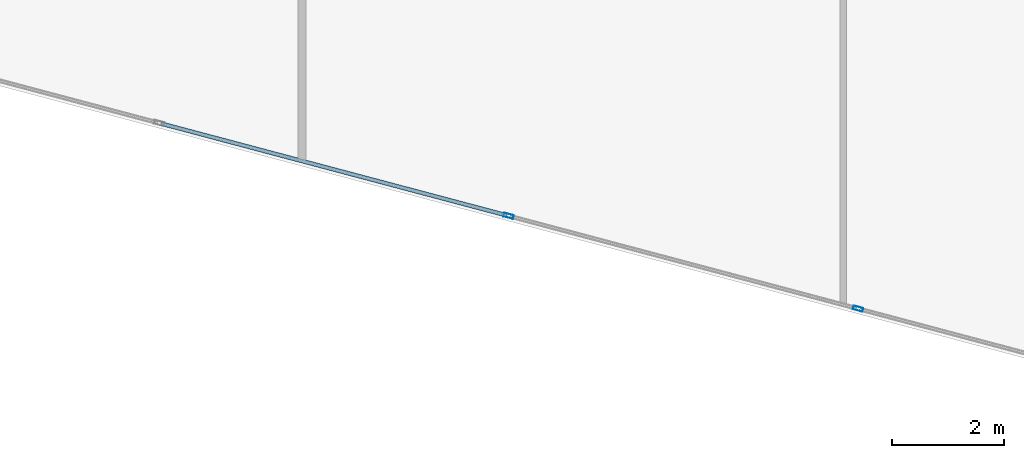
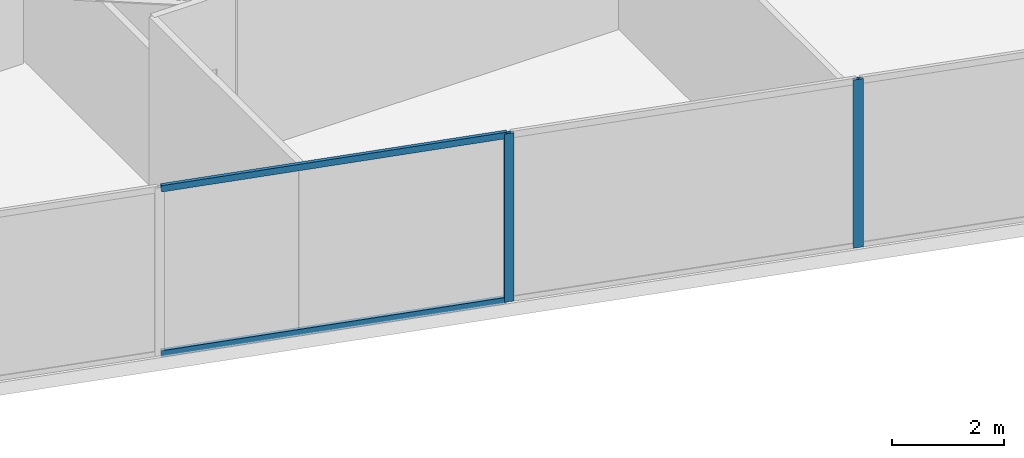
# One storey, part 4 of 27: 4 members, 1 element without a shape of its own.
"""IFC4 building model written with IfcOpenShell, lengths in metres."""

from ifc_helpers import new_model, si_unit, direction, frame, origin, origin_2d, place, context, subcontext, project, spatial, hollow_rectangle, extrude, source, transform, mapped, material, material_profile, profile_set, type_object, type_shapes, element, aggregate, save


model = new_model("IFC4")

# Units and contexts
model_context = context("Model", 3, precision=1e-05, world=origin(), true_north=direction((0.0, 1.0)))
body_context = subcontext(model_context, "Body", "Model", "MODEL_VIEW")
ifc_project = project(units=[si_unit("LENGTHUNIT", "METRE"), si_unit("AREAUNIT", "SQUARE_METRE"), si_unit("VOLUMEUNIT", "CUBIC_METRE"), si_unit("PLANEANGLEUNIT", "RADIAN"), si_unit("MASSUNIT", "GRAM", prefix="KILO")], contexts=[model_context])

# Site, building, storey
site_placement = place(None, origin())
site = spatial("IfcSite", under=ifc_project, at=site_placement, CompositionType="ELEMENT")
building_placement = place(site_placement, origin())
building = spatial("IfcBuilding", under=site, at=building_placement, Name="Krantzveldt Concourse Tower", CompositionType="ELEMENT")
storey_placement = place(building_placement, frame((0.0, 0.0, 105.85009765625)))
storey = spatial("IfcBuildingStorey", under=building, at=storey_placement, Name="L25", CompositionType="ELEMENT", Elevation=105.85009765625)

# Curtain wall, members
ifc_material = material(Name="Anodised aluminium 6063-T6", Category="aluminium")
curtain_wall_type = type_object("IfcCurtainWallType", Name="CW2", PredefinedType="USERDEFINED", material=ifc_material)
curtain_wall_placement = place(storey_placement, origin())
curtain_wall = element("IfcCurtainWall", 1, at=curtain_wall_placement, inside=storey, type_object=curtain_wall_type, Name="CW-L25-F04", ObjectType="UNITISED CURTAIN WALL", PredefinedType="USERDEFINED")
ifc_material_profile_1 = material_profile(ifc_material, hollow_rectangle(XDim=0.070068359375, YDim=0.179931640625, WallThickness=0.0048828125, at=origin_2d()), Name="Anodised aluminium 6063-T6", Category="aluminium")
ifc_profile_set_1 = profile_set([ifc_material_profile_1], Name="Anodised aluminium 6063-T6 - ALU-MULL 180x70x5")
member_type_1 = type_object("IfcMemberType", Name="CW-MUL-180", PredefinedType="MULLION", material=ifc_profile_set_1)
shared_shape_1 = source(origin(), body_context, "Body", "SweptSolid", [
    extrude(hollow_rectangle(XDim=0.070068359375, YDim=0.179931640625, WallThickness=0.0048828125, at=origin_2d()), origin(), (0.0, 0.0, 1.0), 3.669921875),
])
type_shapes(member_type_1, [shared_shape_1])
member_1_placement = place(storey_placement, frame((30.01611328125, 4.171142578125, 0.0), z_axis=(0.0, 0.0, 1.0), x_axis=(0.256711093648, 0.966488186373, 0.0)))
member_1 = element("IfcMember", 2, at=member_1_placement, type_object=member_type_1, Name="CW-Z12 mullion 4", PredefinedType="MULLION", context=body_context, shape_type="MappedRepresentation", body=[
    mapped(shared_shape_1, transform((0.0, 0.0, 0.0), x_axis=(1.0, 0.0, 0.0), y_axis=(0.0, 1.0, 0.0), z_axis=(0.0, 0.0, 1.0), scale=1.0)),
])
member_2_placement = place(storey_placement, frame((36.26611328125, 2.510986328125, 0.0), z_axis=(0.0, 0.0, 1.0), x_axis=(0.256711093648, 0.966488186373, 0.0)))
member_2 = element("IfcMember", 3, at=member_2_placement, type_object=member_type_1, Name="CW-Z12 mullion 5", PredefinedType="MULLION", context=body_context, shape_type="MappedRepresentation", body=[
    mapped(shared_shape_1, transform((0.0, 0.0, 0.0), x_axis=(1.0, 0.0, 0.0), y_axis=(0.0, 1.0, 0.0), z_axis=(0.0, 0.0, 1.0), scale=1.0)),
])
ifc_material_profile_2 = material_profile(ifc_material, hollow_rectangle(XDim=0.070068359375, YDim=0.139892578125, WallThickness=0.0048828125, at=origin_2d()), Name="Anodised aluminium 6063-T6", Category="aluminium")
ifc_profile_set_2 = profile_set([ifc_material_profile_2], Name="Anodised aluminium 6063-T6 - ALU-TRAN 140x70x5")
member_type_2 = type_object("IfcMemberType", Name="CW-TRN-150", PredefinedType="USERDEFINED", material=ifc_profile_set_2)
shared_shape_2 = source(origin(), body_context, "Body", "SweptSolid", [
    extrude(hollow_rectangle(XDim=0.070068359375, YDim=0.139892578125, WallThickness=0.0048828125, at=origin_2d()), origin(), (0.0, 0.0, 1.0), 6.396484375),
])
type_shapes(member_type_2, [shared_shape_2])
member_3_placement = place(storey_placement, frame((23.800048828125, 5.822265625, 0.034912109375), z_axis=(0.966486606622, -0.256717041156, 0.0), x_axis=(0.256717041156, 0.966486606622, 0.0)))
member_3 = element("IfcMember", 4, at=member_3_placement, type_object=member_type_2, Name="CW-Z12 transom 3.1", ObjectType="TRANSOM", PredefinedType="USERDEFINED", context=body_context, shape_type="MappedRepresentation", body=[
    mapped(shared_shape_2, transform((0.0, 0.0, 0.0), x_axis=(1.0, 0.0, 0.0), y_axis=(0.0, 1.0, 0.0), z_axis=(0.0, 0.0, 1.0), scale=1.0)),
])
member_4_placement = place(storey_placement, frame((23.800048828125, 5.822265625, 3.635009765625), z_axis=(0.966486606622, -0.256717041156, 0.0), x_axis=(0.256717041156, 0.966486606622, 0.0)))
member_4 = element("IfcMember", 5, at=member_4_placement, type_object=member_type_2, Name="CW-Z12 transom 3.2", ObjectType="TRANSOM", PredefinedType="USERDEFINED", context=body_context, shape_type="MappedRepresentation", body=[
    mapped(shared_shape_2, transform((0.0, 0.0, 0.0), x_axis=(1.0, 0.0, 0.0), y_axis=(0.0, 1.0, 0.0), z_axis=(0.0, 0.0, 1.0), scale=1.0)),
])
aggregate(curtain_wall, [member_1, member_2, member_3, member_4])

save(model, "model.ifc")
